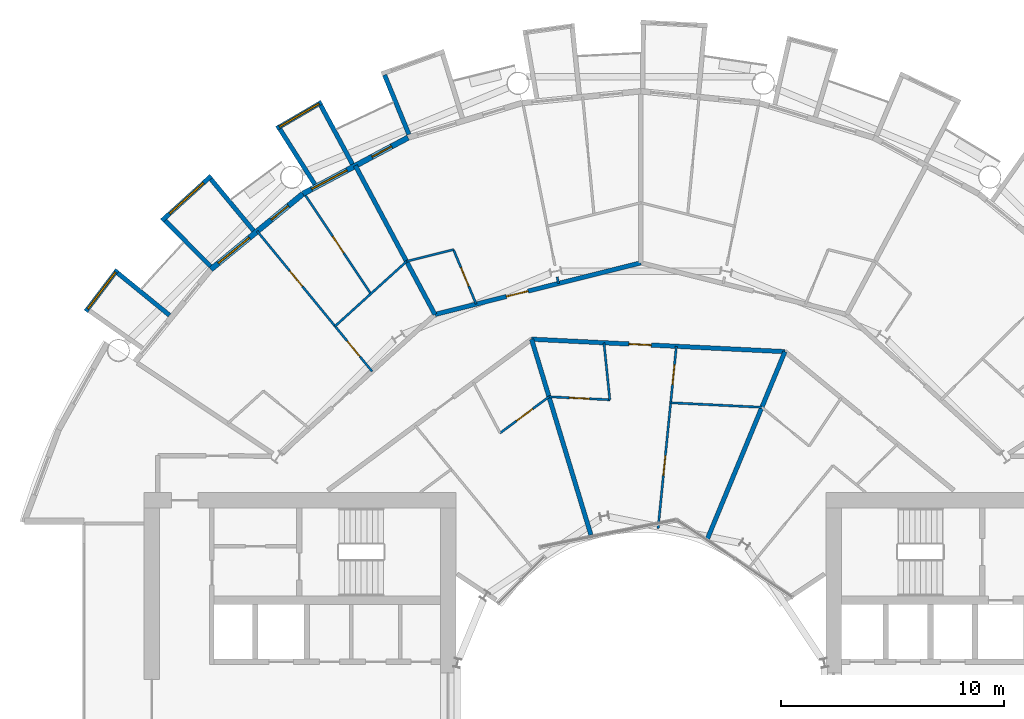
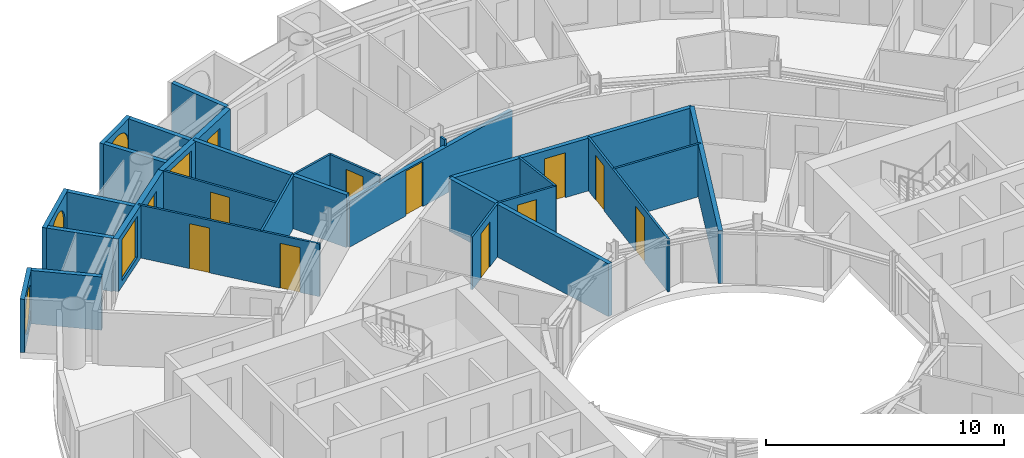
# One storey, part 19 of 26: 27 walls, 12 doors, 5 windows, 17 openings.
"""IFC4 building model written with IfcOpenShell, lengths in metres."""

import ifcopenshell
import ifcopenshell.guid

model = None  # the IFC model being written
_history = None  # IfcOwnerHistory: only IFC2X3 demands one
_inside = {}  # id of a spatial element -> (the spatial element, [elements in it])
_under = {}  # id of a project, library or spatial element -> (it, [spatial elements below it])
_declared = {}  # id of a project -> (the project, [libraries it declares])
_typed = {}  # id of a type object -> (the type object, [elements of that type])
_made_of = {}  # id of a material, layer set ... -> (it, [elements and type objects made of it])


def new_model(schema):
    """Start an empty IFC model of exactly this schema.

    Asked for "IFC4X3", IfcOpenShell would pick the latest addendum, in which some entities
    have other attributes; the version numbers below select the first issue.
    IFC2X3 requires an IfcOwnerHistory on every rooted entity: one is made here for all.
    """
    global model, _history
    if schema == "IFC4X3":
        model = ifcopenshell.file(schema_version=(4, 3, 0, 0))
    else:
        model = ifcopenshell.file(schema=schema)
    _inside.clear()
    _under.clear()
    _declared.clear()
    _typed.clear()
    _made_of.clear()
    _history = None
    if model.schema == "IFC2X3":
        org = make("IfcOrganization", Name="unknown")
        user = make(
            "IfcPersonAndOrganization",
            ThePerson=make("IfcPerson", FamilyName="unknown"),
            TheOrganization=org,
        )
        app = make(
            "IfcApplication",
            ApplicationDeveloper=org,
            Version="unknown",
            ApplicationFullName="unknown",
            ApplicationIdentifier="unknown",
        )
        _history = make(
            "IfcOwnerHistory",
            OwningUser=user,
            OwningApplication=app,
            ChangeAction="ADDED",
            CreationDate=0,
        )
    return model


def make(cls, **values):
    """One entity of the class cls with the attributes given. An attribute that is None is left unset."""
    return model.create_entity(
        cls, **{name: value for name, value in values.items() if value is not None}
    )


def rooted(cls, **values):
    """An entity with a GlobalId (a new one), such as an element, a storey or a relation."""
    return make(cls, GlobalId=ifcopenshell.guid.new(), OwnerHistory=_history, **values)


def si_unit(unit_type, name, prefix=None):
    """IfcSIUnit, for example si_unit("LENGTHUNIT", "METRE", prefix="MILLI")."""
    return make("IfcSIUnit", UnitType=unit_type, Prefix=prefix, Name=name)


def assignment(units):
    """IfcUnitAssignment: the units of a project."""
    return None if units is None else make("IfcUnitAssignment", Units=units)


def point(xyz):
    """IfcCartesianPoint."""
    return None if xyz is None else make("IfcCartesianPoint", Coordinates=xyz)


def direction(xyz):
    """IfcDirection."""
    return None if xyz is None else make("IfcDirection", DirectionRatios=xyz)


def frame(location, z_axis=None, x_axis=None):
    """IfcAxis2Placement3D, a coordinate frame: its origin and axes. An axis left out is left unset."""
    return make(
        "IfcAxis2Placement3D",
        Location=point(location),
        Axis=direction(z_axis),
        RefDirection=direction(x_axis),
    )


def frame_2d(location, x_axis=None):
    """IfcAxis2Placement2D, a coordinate frame in the plane: its origin and x axis."""
    return make(
        "IfcAxis2Placement2D", Location=point(location), RefDirection=direction(x_axis)
    )


def origin():
    """The frame at (0, 0, 0) with its axes left unset."""
    return frame((0.0, 0.0, 0.0))


def place(relative_to, where):
    """IfcLocalPlacement: puts the frame where relative to a parent placement (None: the world)."""
    return make(
        "IfcLocalPlacement", PlacementRelTo=relative_to, RelativePlacement=where
    )


def context(
    kind, dimensions, precision=None, world=None, true_north=None, identifier=None
):
    """IfcGeometricRepresentationContext, for example the 3D "Model" context."""
    return make(
        "IfcGeometricRepresentationContext",
        ContextIdentifier=identifier,
        ContextType=kind,
        CoordinateSpaceDimension=dimensions,
        Precision=precision,
        WorldCoordinateSystem=world,
        TrueNorth=true_north,
    )


def subcontext(parent, identifier, kind, view, scale=None):
    """IfcGeometricRepresentationSubContext, for example "Body" below "Model"."""
    return make(
        "IfcGeometricRepresentationSubContext",
        ContextIdentifier=identifier,
        ContextType=kind,
        ParentContext=parent,
        TargetScale=scale,
        TargetView=view,
    )


def project(units=None, contexts=None):
    """IfcProject with its units and contexts."""
    return rooted(
        "IfcProject",
        Name="project",
        RepresentationContexts=contexts,
        UnitsInContext=assignment(units),
    )


def spatial(cls, under=None, at=None, **own):
    """A site, building, storey or space (cls), placed at a placement, below another one or the project."""
    s = rooted(cls, ObjectPlacement=at, **own)
    if under is not None:
        _under.setdefault(under.id(), (under, []))[1].append(s)
    return s


def profile(cls, at=None, kind="AREA", **sizes):
    """A parametric profile (cls). Its sizes go by their IFC names, for example OverallWidth=200.0."""
    return make(cls, ProfileType=kind, Position=at, **sizes)


def rectangle(**sizes):
    """IfcRectangleProfileDef."""
    return profile("IfcRectangleProfileDef", **sizes)


def circle(**sizes):
    """IfcCircleProfileDef."""
    return profile("IfcCircleProfileDef", **sizes)


def extrude(swept, where, along, depth):
    """IfcExtrudedAreaSolid: the profile swept, set in the frame where, extruded along a direction by depth."""
    return make(
        "IfcExtrudedAreaSolid",
        SweptArea=swept,
        Position=where,
        ExtrudedDirection=direction(along),
        Depth=depth,
    )


def shape(context_of_items, identifier, shape_type, items):
    """IfcShapeRepresentation: the items that make up one representation, for example the "Body"."""
    return make(
        "IfcShapeRepresentation",
        ContextOfItems=context_of_items,
        RepresentationIdentifier=identifier,
        RepresentationType=shape_type,
        Items=items,
    )


def material(Name=None, Category=None):
    """IfcMaterial."""
    return make("IfcMaterial", Name=Name, Category=Category)


def layer(
    of_material, thickness, ventilated=None, Name=None, Category=None, Priority=None
):
    """IfcMaterialLayer: one layer of a wall or slab, of a material (None: an air gap)."""
    return make(
        "IfcMaterialLayer",
        Material=of_material,
        LayerThickness=thickness,
        IsVentilated=ventilated,
        Name=Name,
        Category=Category,
        Priority=Priority,
    )


def layer_set(layers, Name=None):
    """IfcMaterialLayerSet."""
    return make("IfcMaterialLayerSet", MaterialLayers=layers, LayerSetName=Name)


def made_of(thing, what):
    """Note that an element or type object is made of a material, layer set ...; save() writes the relation."""
    if what is not None:
        _made_of.setdefault(what.id(), (what, []))[1].append(thing)
    return thing


def type_object(cls, material=None, **own):
    """A type object (cls), such as IfcWallType, which elements share."""
    return made_of(rooted(cls, **own), material)


def element(
    cls,
    number,
    at=None,
    inside=None,
    cuts=None,
    type_object=None,
    material=None,
    context=None,
    identifier="Body",
    shape_type=None,
    held_by="IfcProductDefinitionShape",
    body=None,
    shapes=None,
    **own,
):
    """One element of the class cls, such as IfcWall. Its Tag is "e" and its number.

    at: its placement. inside: the storey or other place that contains it. cuts: it is an
    opening in that element (IfcRelVoidsElement). A single representation is given by context,
    identifier, shape_type and body (its items); several are given by shapes. held_by: the class
    of the entity that holds the representations. save() writes the other relations.
    """
    e = rooted(cls, Tag="e%d" % number, ObjectPlacement=at, **own)
    if body is not None:
        shapes = [shape(context, identifier, shape_type, body)]
    if shapes is not None:
        e.Representation = make(held_by, Representations=shapes)
    if inside is not None:
        _inside.setdefault(inside.id(), (inside, []))[1].append(e)
    if cuts is not None:
        rooted(
            "IfcRelVoidsElement", RelatingBuildingElement=cuts, RelatedOpeningElement=e
        )
    if type_object is not None:
        _typed.setdefault(type_object.id(), (type_object, []))[1].append(e)
    return made_of(e, material)


def fill(opening, filler):
    """IfcRelFillsElement: the door or window that sits in an opening."""
    return rooted(
        "IfcRelFillsElement",
        RelatingOpeningElement=opening,
        RelatedBuildingElement=filler,
    )


def aggregate(whole, parts):
    """IfcRelAggregates: a whole, such as a stair, and the parts it consists of."""
    return rooted("IfcRelAggregates", RelatingObject=whole, RelatedObjects=parts)


def save(model, path):
    """Write the relations noted so far, then the file.

    IfcRelAggregates (storeys below a building ...), IfcRelContainedInSpatialStructure (elements
    in a storey), IfcRelDefinesByType, IfcRelAssociatesMaterial and IfcRelDeclares: one each for
    every whole, place, type object, material and project.
    """
    for whole, parts in _under.values():
        aggregate(whole, parts)
    for where, things in _inside.values():
        rooted(
            "IfcRelContainedInSpatialStructure",
            RelatedElements=things,
            RelatingStructure=where,
        )
    for kind, things in _typed.values():
        rooted("IfcRelDefinesByType", RelatedObjects=things, RelatingType=kind)
    for what, things in _made_of.values():
        rooted("IfcRelAssociatesMaterial", RelatedObjects=things, RelatingMaterial=what)
    for by, libraries in _declared.values():
        rooted("IfcRelDeclares", RelatingContext=by, RelatedDefinitions=libraries)
    model.write(path)


model = new_model("IFC4")

# Units and contexts
model_context = context("Model", 3, precision=1e-05, world=origin(), true_north=direction((0.0, 1.0)))
body_context = subcontext(model_context, "Body", "Model", "MODEL_VIEW")
ifc_project = project(units=[si_unit("LENGTHUNIT", "METRE"), si_unit("AREAUNIT", "SQUARE_METRE"), si_unit("VOLUMEUNIT", "CUBIC_METRE"), si_unit("PLANEANGLEUNIT", "RADIAN"), si_unit("MASSUNIT", "GRAM", prefix="KILO")], contexts=[model_context])

# Site, building, storey
site_placement = place(None, origin())
site = spatial("IfcSite", under=ifc_project, at=site_placement, CompositionType="ELEMENT")
building_placement = place(site_placement, origin())
building = spatial("IfcBuilding", under=site, at=building_placement, Name="Maasbend Ring Residences", CompositionType="ELEMENT")
storey_placement = place(building_placement, frame((0.0, 0.0, 84.949951171875)))
storey = spatial("IfcBuildingStorey", under=building, at=storey_placement, Name="L24", CompositionType="ELEMENT", Elevation=84.949951171875)

# Wall, opening, door
ifc_material_1 = material(Name="Concrete C30/37", Category="concrete")
ifc_layer_1 = layer(ifc_material_1, 0.199951171875)
ifc_layer_set_1 = layer_set([ifc_layer_1], Name="Concrete C30/37")
wall_type_1 = type_object("IfcWallType", Name="CORRIDOR WALL 200 CONCRETE", PredefinedType="PARTITIONING", material=ifc_layer_set_1)
wall_1_placement = place(storey_placement, frame((-4.903076171875, 16.172119140625, 0.0), z_axis=(0.0, 0.0, 1.0), x_axis=(0.998797695979, -0.049022061427, 0.0)))
wall_1 = element("IfcWall", 1, at=wall_1_placement, inside=storey, type_object=wall_type_1, Name="U-L24-w093", PredefinedType="PARTITIONING", context=body_context, shape_type="SweptSolid", body=[
    extrude(rectangle(XDim=11.384765625, YDim=0.199951171875, at=frame_2d((5.6923828125, 0.0))), origin(), (0.0, 0.0, 1.0), 2.699951171875),
])
opening_1_placement = place(wall_1_placement, frame((4.3759765625, 0.0, 0.0)))
opening_1 = element("IfcOpeningElement", 2, at=opening_1_placement, cuts=wall_1, Name="Opening D-2425", PredefinedType="OPENING", context=body_context, shape_type="SweptSolid", body=[
    extrude(rectangle(XDim=1.0, YDim=2.300048828125, at=frame_2d((0.5, 1.14990234375))), frame((0.0, 0.10986328125, 0.0), z_axis=(0.0, -1.0, 0.0), x_axis=(1.0, 0.0, 0.0)), (0.0, 0.0, 1.0), 0.219970703125),
])
ifc_material_2 = material(Name="Timber, fire-rated, painted", Category="wood")
door_type_1 = type_object("IfcDoorType", Name="FLAT ENTRANCE DOOR 1000 X 2300 FIRE-RATED", OperationType="NOTDEFINED", PredefinedType="DOOR", material=ifc_material_2)
door_1_placement = place(opening_1_placement, origin())
door_1 = element("IfcDoor", 3, at=door_1_placement, inside=storey, type_object=door_type_1, Name="D-2425", OperationType="SINGLE_SWING_LEFT", OverallHeight=2.300048828125, OverallWidth=1.0, PredefinedType="DOOR", context=body_context, shape_type="SweptSolid", body=[
    extrude(rectangle(XDim=1.0, YDim=2.300048828125, at=frame_2d((0.5, 1.14990234375))), frame((0.0, 0.02490234375, 0.0), z_axis=(0.0, -1.0, 0.0), x_axis=(1.0, 0.0, 0.0)), (0.0, 0.0, 1.0), 0.050048828125),
])
fill(opening_1, door_1)

wall_2_placement = place(storey_placement, frame((-9.239013671875, 17.284912109375, 0.0), z_axis=(0.0, 0.0, 1.0), x_axis=(0.970008158324, 0.243072361213, 0.0)))
wall_2 = element("IfcWall", 4, at=wall_2_placement, inside=storey, type_object=wall_type_1, Name="U-L24-w096", PredefinedType="PARTITIONING", context=body_context, shape_type="SweptSolid", body=[
    extrude(rectangle(XDim=9.524658203125, YDim=0.199951171875, at=frame_2d((4.76220703125, 0.0))), origin(), (0.0, 0.0, 1.0), 2.380126953125),
])
opening_2_placement = place(wall_2_placement, frame((3.304931640625, 0.0, 0.0)))
opening_2 = element("IfcOpeningElement", 5, at=opening_2_placement, cuts=wall_2, Name="Opening D-2411", PredefinedType="OPENING", context=body_context, shape_type="SweptSolid", body=[
    extrude(rectangle(XDim=1.0, YDim=2.300048828125, at=frame_2d((0.5, 1.14990234375))), frame((0.0, 0.10986328125, 0.0), z_axis=(0.0, -1.0, 0.0), x_axis=(1.0, 0.0, 0.0)), (0.0, 0.0, 1.0), 0.219970703125),
])
door_2_placement = place(opening_2_placement, origin())
door_2 = element("IfcDoor", 6, at=door_2_placement, inside=storey, type_object=door_type_1, Name="D-2411", OperationType="SINGLE_SWING_LEFT", OverallHeight=2.300048828125, OverallWidth=1.0, PredefinedType="DOOR", context=body_context, shape_type="SweptSolid", body=[
    extrude(rectangle(XDim=1.0, YDim=2.300048828125, at=frame_2d((0.5, 1.14990234375))), frame((0.0, 0.02490234375, 0.0), z_axis=(0.0, -1.0, 0.0), x_axis=(1.0, 0.0, 0.0)), (0.0, 0.0, 1.0), 0.050048828125),
])
fill(opening_2, door_2)

# Wall
ifc_material_3 = material(Name="Pale anodised aluminium panel", Category="aluminium")
ifc_layer_2 = layer(ifc_material_3, 0.199951171875)
ifc_layer_set_2 = layer_set([ifc_layer_2], Name="EW-BOX")
wall_type_2 = type_object("IfcWallType", Name="EW-BOX", PredefinedType="SOLIDWALL", material=ifc_layer_set_2)
wall_3_placement = place(storey_placement, frame((-10.408935546875, 25.364013671875, -0.030029296875), z_axis=(0.0, 0.0, 1.0), x_axis=(-0.379509886562, 0.925187681501, 0.0)))
element("IfcWall", 7, at=wall_3_placement, inside=storey, type_object=wall_type_2, Name="Box side wall N14 right", PredefinedType="SOLIDWALL", context=body_context, shape_type="SweptSolid", body=[
    extrude(rectangle(XDim=2.882568359375, YDim=0.199951171875, at=frame_2d((1.44140625, 0.0))), origin(), (0.0, 0.0, 1.0), 2.72998046875),
])

# Wall, opening, window
wall_4_placement = place(storey_placement, frame((-14.326904296875, 26.81201171875, -0.030029296875), z_axis=(0.0, 0.0, 1.0), x_axis=(-0.863346521872, -0.504611517081, 0.0)))
wall_4 = element("IfcWall", 8, at=wall_4_placement, inside=storey, type_object=wall_type_2, Name="Box front N16", PredefinedType="SOLIDWALL", context=body_context, shape_type="SweptSolid", body=[
    extrude(rectangle(XDim=2.33642578125, YDim=0.199951171875, at=frame_2d((1.168212890625, 0.0))), origin(), (0.0, 0.0, 1.0), 2.72998046875),
])
opening_3_placement = place(wall_4_placement, frame((0.128173828125, 0.0, 0.330078125)))
opening_3 = element("IfcOpeningElement", 9, at=opening_3_placement, cuts=wall_4, Name="Opening W-RD", PredefinedType="OPENING", context=body_context, shape_type="SweptSolid", body=[
    extrude(circle(Radius=1.0400390625, at=frame_2d((1.0400390625, 1.0400390625))), frame((0.0, 0.10986328125, 0.0), z_axis=(0.0, -1.0, 0.0), x_axis=(1.0, 0.0, 0.0)), (0.0, 0.0, 1.0), 0.219970703125),
])
ifc_material_4 = material(Name="Aluminium and clear glass", Category="aluminium")
window_type_1 = type_object("IfcWindowType", Name="W-RD", PartitioningType="SINGLE_PANEL", PredefinedType="WINDOW", material=ifc_material_4)
window_1_placement = place(opening_3_placement, origin())
window_1 = element("IfcWindow", 10, at=window_1_placement, inside=storey, type_object=window_type_1, Name="Round window N16", OverallHeight=2.080078125, OverallWidth=2.080078125, PartitioningType="SINGLE_PANEL", PredefinedType="WINDOW", context=body_context, shape_type="SweptSolid", body=[
    extrude(circle(Radius=1.0400390625, at=frame_2d((1.0400390625, 1.0400390625))), frame((0.0, 0.030029296875, 0.0), z_axis=(0.0, -1.0, 0.0), x_axis=(1.0, 0.0, 0.0)), (0.0, 0.0, 1.0), 0.06005859375),
])
fill(opening_3, window_1)

# Walls
wall_5_placement = place(storey_placement, frame((-12.945068359375, 24.029052734375, -0.030029296875), z_axis=(0.0, 0.0, 1.0), x_axis=(-0.474424310775, 0.88029629861, 0.0)))
element("IfcWall", 11, at=wall_5_placement, inside=storey, type_object=wall_type_2, Name="Box side wall N16 left", PredefinedType="SOLIDWALL", context=body_context, shape_type="SweptSolid", body=[
    extrude(rectangle(XDim=3.005859375, YDim=0.199951171875, at=frame_2d((1.5029296875, 0.0))), origin(), (0.0, 0.0, 1.0), 2.72998046875),
])
wall_6_placement = place(storey_placement, frame((-14.635009765625, 23.1259765625, -0.030029296875), z_axis=(0.0, 0.0, 1.0), x_axis=(-0.534437802731, 0.845207805816, 0.0)))
element("IfcWall", 12, at=wall_6_placement, inside=storey, type_object=wall_type_2, Name="Box side wall N16 right", PredefinedType="SOLIDWALL", context=body_context, shape_type="SweptSolid", body=[
    extrude(rectangle(XDim=2.931884765625, YDim=0.199951171875, at=frame_2d((1.4658203125, 0.0))), origin(), (0.0, 0.0, 1.0), 2.72998046875),
])

# Wall, opening, window
wall_7_placement = place(storey_placement, frame((-19.281982421875, 23.5029296875, -0.030029296875), z_axis=(0.0, 0.0, 1.0), x_axis=(-0.740998365753, -0.671506829416, 0.0)))
wall_7 = element("IfcWall", 13, at=wall_7_placement, inside=storey, type_object=wall_type_2, Name="Box front N18", PredefinedType="SOLIDWALL", context=body_context, shape_type="SweptSolid", body=[
    extrude(rectangle(XDim=2.9931640625, YDim=0.199951171875, at=frame_2d((1.49658203125, 0.0))), origin(), (0.0, 0.0, 1.0), 2.72998046875),
])
opening_4_placement = place(wall_7_placement, frame((0.45654296875, 0.0, 0.330078125)))
opening_4 = element("IfcOpeningElement", 14, at=opening_4_placement, cuts=wall_7, Name="Opening W-RD", PredefinedType="OPENING", context=body_context, shape_type="SweptSolid", body=[
    extrude(circle(Radius=1.0400390625, at=frame_2d((1.0400390625, 1.0400390625))), frame((0.0, 0.10986328125, 0.0), z_axis=(0.0, -1.0, 0.0), x_axis=(1.0, 0.0, 0.0)), (0.0, 0.0, 1.0), 0.219970703125),
])
window_2_placement = place(opening_4_placement, origin())
window_2 = element("IfcWindow", 15, at=window_2_placement, inside=storey, type_object=window_type_1, Name="Round window N18", OverallHeight=2.080078125, OverallWidth=2.080078125, PartitioningType="SINGLE_PANEL", PredefinedType="WINDOW", context=body_context, shape_type="SweptSolid", body=[
    extrude(circle(Radius=1.0400390625, at=frame_2d((1.0400390625, 1.0400390625))), frame((0.0, 0.030029296875, 0.0), z_axis=(0.0, -1.0, 0.0), x_axis=(1.0, 0.0, 0.0)), (0.0, 0.0, 1.0), 0.06005859375),
])
fill(opening_4, window_2)

# Walls
wall_8_placement = place(storey_placement, frame((-17.384033203125, 21.041015625, -0.030029296875), z_axis=(0.0, 0.0, 1.0), x_axis=(-0.63709551667, 0.770784861449, 0.0)))
element("IfcWall", 16, at=wall_8_placement, inside=storey, type_object=wall_type_2, Name="Box side wall N18 left", PredefinedType="SOLIDWALL", context=body_context, shape_type="SweptSolid", body=[
    extrude(rectangle(XDim=3.005859375, YDim=0.199951171875, at=frame_2d((1.5029296875, 0.0))), origin(), (0.0, 0.0, 1.0), 2.72998046875),
])
wall_9_placement = place(storey_placement, frame((-19.322998046875, 19.449951171875, -0.030029296875), z_axis=(0.0, 0.0, 1.0), x_axis=(-0.704476739375, 0.709727076896, 0.0)))
element("IfcWall", 17, at=wall_9_placement, inside=storey, type_object=wall_type_2, Name="Box side wall N18 right", PredefinedType="SOLIDWALL", context=body_context, shape_type="SweptSolid", body=[
    extrude(rectangle(XDim=2.883056640625, YDim=0.199951171875, at=frame_2d((1.44140625, 0.0))), origin(), (0.0, 0.0, 1.0), 2.72998046875),
])

# Wall, opening, window
wall_10_placement = place(storey_placement, frame((-23.4970703125, 19.2890625, -0.030029296875), z_axis=(0.0, 0.0, 1.0), x_axis=(-0.60418752353, -0.796842165306, 0.0)))
wall_10 = element("IfcWall", 18, at=wall_10_placement, inside=storey, type_object=wall_type_2, Name="Box front N20", PredefinedType="SOLIDWALL", context=body_context, shape_type="SweptSolid", body=[
    extrude(rectangle(XDim=2.3369140625, YDim=0.199951171875, at=frame_2d((1.16845703125, 0.0))), origin(), (0.0, 0.0, 1.0), 2.72998046875),
])
opening_5_placement = place(wall_10_placement, frame((0.128173828125, 0.0, 0.330078125)))
opening_5 = element("IfcOpeningElement", 19, at=opening_5_placement, cuts=wall_10, Name="Opening W-RD", PredefinedType="OPENING", context=body_context, shape_type="SweptSolid", body=[
    extrude(circle(Radius=1.0400390625, at=frame_2d((1.0400390625, 1.0400390625))), frame((0.0, 0.10986328125, 0.0), z_axis=(0.0, -1.0, 0.0), x_axis=(1.0, 0.0, 0.0)), (0.0, 0.0, 1.0), 0.219970703125),
])
window_3_placement = place(opening_5_placement, origin())
window_3 = element("IfcWindow", 20, at=window_3_placement, inside=storey, type_object=window_type_1, Name="Round window N20", OverallHeight=2.080078125, OverallWidth=2.080078125, PartitioningType="SINGLE_PANEL", PredefinedType="WINDOW", context=body_context, shape_type="SweptSolid", body=[
    extrude(circle(Radius=1.0400390625, at=frame_2d((1.0400390625, 1.0400390625))), frame((0.0, 0.030029296875, 0.0), z_axis=(0.0, -1.0, 0.0), x_axis=(1.0, 0.0, 0.0)), (0.0, 0.0, 1.0), 0.06005859375),
])
fill(opening_5, window_3)

# Wall
wall_11_placement = place(storey_placement, frame((-21.155029296875, 17.24609375, -0.030029296875), z_axis=(0.0, 0.0, 1.0), x_axis=(-0.775179004516, 0.631741648902, 0.0)))
element("IfcWall", 21, at=wall_11_placement, inside=storey, type_object=wall_type_2, Name="Box side wall N20 left", PredefinedType="SOLIDWALL", context=body_context, shape_type="SweptSolid", body=[
    extrude(rectangle(XDim=3.005859375, YDim=0.199951171875, at=frame_2d((1.5029296875, 0.0))), origin(), (0.0, 0.0, 1.0), 2.72998046875),
])

# Wall, openings, door, window
ifc_material_5 = material(Name="Aluminium clad insulated panel", Category="aluminium")
ifc_layer_3 = layer(ifc_material_5, 0.25)
ifc_layer_set_3 = layer_set([ifc_layer_3], Name="EW-GL")
wall_type_3 = type_object("IfcWallType", Name="EW-GL", PredefinedType="SOLIDWALL", material=ifc_layer_set_3)
wall_12_placement = place(storey_placement, frame((-10.447021484375, 25.221923828125, 0.0), z_axis=(0.0, 0.0, 1.0), x_axis=(-0.881915646801, -0.471407246368, 0.0)))
wall_12 = element("IfcWall", 22, at=wall_12_placement, inside=storey, type_object=wall_type_3, Name="External wall N08", PredefinedType="SOLIDWALL", context=body_context, shape_type="SweptSolid", body=[
    extrude(rectangle(XDim=5.35205078125, YDim=0.25, at=frame_2d((2.676025390625, 0.0))), origin(), (0.0, 0.0, 1.0), 2.699951171875),
])
opening_6_placement = place(wall_12_placement, frame((0.841064453125, 0.0, 0.0)))
opening_6 = element("IfcOpeningElement", 23, at=opening_6_placement, cuts=wall_12, Name="Opening D-LG", PredefinedType="OPENING", context=body_context, shape_type="SweptSolid", body=[
    extrude(rectangle(XDim=1.0, YDim=2.199951171875, at=frame_2d((0.5, 1.10009765625))), frame((0.0, 0.135009765625, 0.0), z_axis=(0.0, -1.0, 0.0), x_axis=(1.0, 0.0, 0.0)), (0.0, 0.0, 1.0), 0.27001953125),
])
opening_7_placement = place(wall_12_placement, frame((3.110595703125, 0.0, 0.300048828125)))
opening_7 = element("IfcOpeningElement", 24, at=opening_7_placement, cuts=wall_12, Name="Opening W-BX", PredefinedType="OPENING", context=body_context, shape_type="SweptSolid", body=[
    extrude(rectangle(XDim=1.800048828125, YDim=2.10009765625, at=frame_2d((0.89990234375, 1.050048828125))), frame((0.0, 0.135009765625, 0.0), z_axis=(0.0, -1.0, 0.0), x_axis=(1.0, 0.0, 0.0)), (0.0, 0.0, 1.0), 0.27001953125),
])
ifc_material_6 = material(Name="Aluminium and clear glass", Category="aluminium")
door_type_2 = type_object("IfcDoorType", Name="D-LG", OperationType="SINGLE_SWING_LEFT", PredefinedType="DOOR", material=ifc_material_6)
door_3_placement = place(opening_6_placement, origin())
door_3 = element("IfcDoor", 25, at=door_3_placement, inside=storey, type_object=door_type_2, Name="Loggia door N15", OperationType="SINGLE_SWING_LEFT", OverallHeight=2.199951171875, OverallWidth=1.0, PredefinedType="DOOR", context=body_context, shape_type="SweptSolid", body=[
    extrude(rectangle(XDim=1.0, YDim=2.199951171875, at=frame_2d((0.5, 1.10009765625))), frame((0.0, 0.02490234375, 0.0), z_axis=(0.0, -1.0, 0.0), x_axis=(1.0, 0.0, 0.0)), (0.0, 0.0, 1.0), 0.050048828125),
])
fill(opening_6, door_3)
ifc_material_7 = material(Name="Aluminium and clear glass", Category="aluminium")
window_type_2 = type_object("IfcWindowType", Name="W-BX", PartitioningType="DOUBLE_PANEL_VERTICAL", PredefinedType="WINDOW", material=ifc_material_7)
window_4_placement = place(opening_7_placement, origin())
window_4 = element("IfcWindow", 26, at=window_4_placement, inside=storey, type_object=window_type_2, Name="Window N16 room to box", OverallHeight=2.10009765625, OverallWidth=1.800048828125, PartitioningType="SINGLE_PANEL", PredefinedType="WINDOW", context=body_context, shape_type="SweptSolid", body=[
    extrude(rectangle(XDim=1.800048828125, YDim=2.10009765625, at=frame_2d((0.89990234375, 1.050048828125))), frame((0.0, 0.030029296875, 0.0), z_axis=(0.0, -1.0, 0.0), x_axis=(1.0, 0.0, 0.0)), (0.0, 0.0, 1.0), 0.06005859375),
])
fill(opening_7, window_4)

wall_13_placement = place(storey_placement, frame((-15.1669921875, 22.698974609375, 0.0), z_axis=(0.0, 0.0, 1.0), x_axis=(-0.773019449054, -0.634382322723, 0.0)))
wall_13 = element("IfcWall", 27, at=wall_13_placement, inside=storey, type_object=wall_type_3, Name="External wall N09", PredefinedType="SOLIDWALL", context=body_context, shape_type="SweptSolid", body=[
    extrude(rectangle(XDim=5.351806640625, YDim=0.25, at=frame_2d((2.67578125, 0.0))), origin(), (0.0, 0.0, 1.0), 2.699951171875),
])
opening_8_placement = place(wall_13_placement, frame((0.841064453125, 0.0, 0.0)))
opening_8 = element("IfcOpeningElement", 28, at=opening_8_placement, cuts=wall_13, Name="Opening D-LG", PredefinedType="OPENING", context=body_context, shape_type="SweptSolid", body=[
    extrude(rectangle(XDim=1.0, YDim=2.199951171875, at=frame_2d((0.5, 1.10009765625))), frame((0.0, 0.135009765625, 0.0), z_axis=(0.0, -1.0, 0.0), x_axis=(1.0, 0.0, 0.0)), (0.0, 0.0, 1.0), 0.27001953125),
])
opening_9_placement = place(wall_13_placement, frame((3.110595703125, 0.0, 0.300048828125)))
opening_9 = element("IfcOpeningElement", 29, at=opening_9_placement, cuts=wall_13, Name="Opening W-BX", PredefinedType="OPENING", context=body_context, shape_type="SweptSolid", body=[
    extrude(rectangle(XDim=1.800048828125, YDim=2.10009765625, at=frame_2d((0.89990234375, 1.050048828125))), frame((0.0, 0.135009765625, 0.0), z_axis=(0.0, -1.0, 0.0), x_axis=(1.0, 0.0, 0.0)), (0.0, 0.0, 1.0), 0.27001953125),
])
door_4_placement = place(opening_8_placement, origin())
door_4 = element("IfcDoor", 30, at=door_4_placement, inside=storey, type_object=door_type_2, Name="Loggia door N17", OperationType="SINGLE_SWING_LEFT", OverallHeight=2.199951171875, OverallWidth=1.0, PredefinedType="DOOR", context=body_context, shape_type="SweptSolid", body=[
    extrude(rectangle(XDim=1.0, YDim=2.199951171875, at=frame_2d((0.5, 1.10009765625))), frame((0.0, 0.02490234375, 0.0), z_axis=(0.0, -1.0, 0.0), x_axis=(1.0, 0.0, 0.0)), (0.0, 0.0, 1.0), 0.050048828125),
])
fill(opening_8, door_4)
window_5_placement = place(opening_9_placement, origin())
window_5 = element("IfcWindow", 31, at=window_5_placement, inside=storey, type_object=window_type_2, Name="Window N18 room to box", OverallHeight=2.10009765625, OverallWidth=1.800048828125, PartitioningType="SINGLE_PANEL", PredefinedType="WINDOW", context=body_context, shape_type="SweptSolid", body=[
    extrude(rectangle(XDim=1.800048828125, YDim=2.10009765625, at=frame_2d((0.89990234375, 1.050048828125))), frame((0.0, 0.030029296875, 0.0), z_axis=(0.0, -1.0, 0.0), x_axis=(1.0, 0.0, 0.0)), (0.0, 0.0, 1.0), 0.06005859375),
])
fill(opening_9, window_5)

# Wall, openings, doors
ifc_material_8 = material(Name="Gypsum board on steel studs", Category="steel")
ifc_layer_4 = layer(ifc_material_8, 0.10009765625)
ifc_layer_set_4 = layer_set([ifc_layer_4], Name="PARTITION 100 GYPSUM")
wall_type_4 = type_object("IfcWallType", Name="PARTITION 100 GYPSUM", PredefinedType="PARTITIONING", material=ifc_layer_set_4)
wall_14_placement = place(storey_placement, frame((-17.220947265625, 21.02197265625, 0.0), z_axis=(0.0, 0.0, 1.0), x_axis=(0.633735868108, -0.773549513266, 0.0)))
wall_14 = element("IfcWall", 32, at=wall_14_placement, inside=storey, type_object=wall_type_4, Name="U-L24-w030", PredefinedType="PARTITIONING", context=body_context, shape_type="SweptSolid", body=[
    extrude(rectangle(XDim=8.138916015625, YDim=0.10009765625, at=frame_2d((4.0693359375, 0.0))), origin(), (0.0, 0.0, 1.0), 2.699951171875),
])
opening_10_placement = place(wall_14_placement, frame((6.3779296875, 0.0, 0.0)))
opening_10 = element("IfcOpeningElement", 33, at=opening_10_placement, cuts=wall_14, Name="Opening D-2418", PredefinedType="OPENING", context=body_context, shape_type="SweptSolid", body=[
    extrude(rectangle(XDim=0.89990234375, YDim=2.300048828125, at=frame_2d((0.449951171875, 1.14990234375))), frame((0.0, 0.06005859375, 0.0), z_axis=(0.0, -1.0, 0.0), x_axis=(1.0, 0.0, 0.0)), (0.0, 0.0, 1.0), 0.1201171875),
])
opening_11_placement = place(wall_14_placement, frame((2.30810546875, 0.0, 0.0)))
opening_11 = element("IfcOpeningElement", 34, at=opening_11_placement, cuts=wall_14, Name="Opening D-2419", PredefinedType="OPENING", context=body_context, shape_type="SweptSolid", body=[
    extrude(rectangle(XDim=0.89990234375, YDim=2.300048828125, at=frame_2d((0.449951171875, 1.14990234375))), frame((0.0, 0.06005859375, 0.0), z_axis=(0.0, -1.0, 0.0), x_axis=(1.0, 0.0, 0.0)), (0.0, 0.0, 1.0), 0.1201171875),
])
ifc_material_9 = material(Name="Timber, painted", Category="wood")
door_type_3 = type_object("IfcDoorType", Name="INTERNAL DOOR 900 X 2300", OperationType="NOTDEFINED", PredefinedType="DOOR", material=ifc_material_9)
door_5_placement = place(opening_10_placement, origin())
door_5 = element("IfcDoor", 35, at=door_5_placement, inside=storey, type_object=door_type_3, Name="D-2418", OperationType="SINGLE_SWING_RIGHT", OverallHeight=2.300048828125, OverallWidth=0.89990234375, PredefinedType="DOOR", context=body_context, shape_type="SweptSolid", body=[
    extrude(rectangle(XDim=0.89990234375, YDim=2.300048828125, at=frame_2d((0.449951171875, 1.14990234375))), frame((0.0, 0.02490234375, 0.0), z_axis=(0.0, -1.0, 0.0), x_axis=(1.0, 0.0, 0.0)), (0.0, 0.0, 1.0), 0.050048828125),
])
fill(opening_10, door_5)
door_6_placement = place(opening_11_placement, origin())
door_6 = element("IfcDoor", 36, at=door_6_placement, inside=storey, type_object=door_type_3, Name="D-2419", OperationType="SINGLE_SWING_LEFT", OverallHeight=2.300048828125, OverallWidth=0.89990234375, PredefinedType="DOOR", context=body_context, shape_type="SweptSolid", body=[
    extrude(rectangle(XDim=0.89990234375, YDim=2.300048828125, at=frame_2d((0.449951171875, 1.14990234375))), frame((0.0, 0.02490234375, 0.0), z_axis=(0.0, -1.0, 0.0), x_axis=(1.0, 0.0, 0.0)), (0.0, 0.0, 1.0), 0.050048828125),
])
fill(opening_11, door_6)

# Wall, opening, door
wall_15_placement = place(storey_placement, frame((-15.053955078125, 22.6240234375, 0.0), z_axis=(0.0, 0.0, 1.0), x_axis=(0.553913391217, -0.832574294, 0.0)))
wall_15 = element("IfcWall", 37, at=wall_15_placement, inside=storey, type_object=wall_type_4, Name="U-L24-w034", PredefinedType="PARTITIONING", context=body_context, shape_type="SweptSolid", body=[
    extrude(rectangle(XDim=5.300537109375, YDim=0.10009765625, at=frame_2d((2.650390625, 0.0))), origin(), (0.0, 0.0, 1.0), 2.699951171875),
])
opening_12_placement = place(wall_15_placement, frame((2.199951171875, 0.0, 0.0)))
opening_12 = element("IfcOpeningElement", 38, at=opening_12_placement, cuts=wall_15, Name="Opening D-2420", PredefinedType="OPENING", context=body_context, shape_type="SweptSolid", body=[
    extrude(rectangle(XDim=0.89990234375, YDim=2.300048828125, at=frame_2d((0.449951171875, 1.14990234375))), frame((0.0, 0.06005859375, 0.0), z_axis=(0.0, -1.0, 0.0), x_axis=(1.0, 0.0, 0.0)), (0.0, 0.0, 1.0), 0.1201171875),
])
door_7_placement = place(opening_12_placement, origin())
door_7 = element("IfcDoor", 39, at=door_7_placement, inside=storey, type_object=door_type_3, Name="D-2420", OperationType="SINGLE_SWING_LEFT", OverallHeight=2.300048828125, OverallWidth=0.89990234375, PredefinedType="DOOR", context=body_context, shape_type="SweptSolid", body=[
    extrude(rectangle(XDim=0.89990234375, YDim=2.300048828125, at=frame_2d((0.449951171875, 1.14990234375))), frame((0.0, 0.02490234375, 0.0), z_axis=(0.0, -1.0, 0.0), x_axis=(1.0, 0.0, 0.0)), (0.0, 0.0, 1.0), 0.050048828125),
])
fill(opening_12, door_7)

wall_16_placement = place(storey_placement, frame((-8.409912109375, 20.193115234375, 0.0), z_axis=(0.0, 0.0, 1.0), x_axis=(0.384438589316, -0.923150567917, 0.0)))
wall_16 = element("IfcWall", 40, at=wall_16_placement, inside=storey, type_object=wall_type_4, Name="U-L24-w041", PredefinedType="PARTITIONING", context=body_context, shape_type="SweptSolid", body=[
    extrude(rectangle(XDim=2.6474609375, YDim=0.10009765625, at=frame_2d((1.32373046875, 0.0))), origin(), (0.0, 0.0, 1.0), 2.699951171875),
])
opening_13_placement = place(wall_16_placement, frame((0.8740234375, 0.0, 0.0)))
opening_13 = element("IfcOpeningElement", 41, at=opening_13_placement, cuts=wall_16, Name="Opening D-2412", PredefinedType="OPENING", context=body_context, shape_type="SweptSolid", body=[
    extrude(rectangle(XDim=0.89990234375, YDim=2.300048828125, at=frame_2d((0.449951171875, 1.14990234375))), frame((0.0, 0.06005859375, 0.0), z_axis=(0.0, -1.0, 0.0), x_axis=(1.0, 0.0, 0.0)), (0.0, 0.0, 1.0), 0.1201171875),
])
door_8_placement = place(opening_13_placement, origin())
door_8 = element("IfcDoor", 42, at=door_8_placement, inside=storey, type_object=door_type_3, Name="D-2412", OperationType="SINGLE_SWING_RIGHT", OverallHeight=2.300048828125, OverallWidth=0.89990234375, PredefinedType="DOOR", context=body_context, shape_type="SweptSolid", body=[
    extrude(rectangle(XDim=0.89990234375, YDim=2.300048828125, at=frame_2d((0.449951171875, 1.14990234375))), frame((0.0, 0.02490234375, 0.0), z_axis=(0.0, -1.0, 0.0), x_axis=(1.0, 0.0, 0.0)), (0.0, 0.0, 1.0), 0.050048828125),
])
fill(opening_13, door_8)

# Walls
wall_17_placement = place(storey_placement, frame((-3.7548828125, 18.969970703125, 0.0), z_axis=(0.0, 0.0, 1.0), x_axis=(0.19502665362, -0.980797942686, 0.0)))
element("IfcWall", 43, at=wall_17_placement, inside=storey, type_object=wall_type_4, Name="U-L24-w048", PredefinedType="PARTITIONING", context=body_context, shape_type="SweptSolid", body=[
    extrude(rectangle(XDim=0.3017578125, YDim=0.10009765625, at=frame_2d((0.15087890625, 0.0))), origin(), (0.0, 0.0, 1.0), 2.699951171875),
])
wall_18_placement = place(storey_placement, frame((-1.656005859375, 16.012939453125, 0.0), z_axis=(0.0, 0.0, 1.0), x_axis=(0.102594773028, -0.994723234145, 0.0)))
element("IfcWall", 44, at=wall_18_placement, inside=storey, type_object=wall_type_4, Name="U-L24-w051", PredefinedType="PARTITIONING", context=body_context, shape_type="SweptSolid", body=[
    extrude(rectangle(XDim=2.572509765625, YDim=0.10009765625, at=frame_2d((1.2861328125, 0.0))), origin(), (0.0, 0.0, 1.0), 2.699951171875),
])

# Wall, openings, doors
wall_19_placement = place(storey_placement, frame((0.77392578125, 7.680908203125, 0.0), z_axis=(0.0, 0.0, 1.0), x_axis=(0.099730339513, 0.995014502096, 0.0)))
wall_19 = element("IfcWall", 45, at=wall_19_placement, inside=storey, type_object=wall_type_4, Name="U-L24-w055", PredefinedType="PARTITIONING", context=body_context, shape_type="SweptSolid", body=[
    extrude(rectangle(XDim=8.213134765625, YDim=0.10009765625, at=frame_2d((4.1064453125, 0.0))), origin(), (0.0, 0.0, 1.0), 2.699951171875),
])
opening_14_placement = place(wall_19_placement, frame((6.489990234375, 0.0, 0.0)))
opening_14 = element("IfcOpeningElement", 46, at=opening_14_placement, cuts=wall_19, Name="Opening D-2427", PredefinedType="OPENING", context=body_context, shape_type="SweptSolid", body=[
    extrude(rectangle(XDim=0.89990234375, YDim=2.300048828125, at=frame_2d((0.449951171875, 1.14990234375))), frame((0.0, 0.06005859375, 0.0), z_axis=(0.0, -1.0, 0.0), x_axis=(1.0, 0.0, 0.0)), (0.0, 0.0, 1.0), 0.1201171875),
])
opening_15_placement = place(wall_19_placement, frame((2.384033203125, 0.0, 0.0)))
opening_15 = element("IfcOpeningElement", 47, at=opening_15_placement, cuts=wall_19, Name="Opening D-2428", PredefinedType="OPENING", context=body_context, shape_type="SweptSolid", body=[
    extrude(rectangle(XDim=0.89990234375, YDim=2.300048828125, at=frame_2d((0.449951171875, 1.14990234375))), frame((0.0, 0.06005859375, 0.0), z_axis=(0.0, -1.0, 0.0), x_axis=(1.0, 0.0, 0.0)), (0.0, 0.0, 1.0), 0.1201171875),
])
door_9_placement = place(opening_14_placement, origin())
door_9 = element("IfcDoor", 48, at=door_9_placement, inside=storey, type_object=door_type_3, Name="D-2427", OperationType="SINGLE_SWING_RIGHT", OverallHeight=2.300048828125, OverallWidth=0.89990234375, PredefinedType="DOOR", context=body_context, shape_type="SweptSolid", body=[
    extrude(rectangle(XDim=0.89990234375, YDim=2.300048828125, at=frame_2d((0.449951171875, 1.14990234375))), frame((0.0, 0.02490234375, 0.0), z_axis=(0.0, -1.0, 0.0), x_axis=(1.0, 0.0, 0.0)), (0.0, 0.0, 1.0), 0.050048828125),
])
fill(opening_14, door_9)
door_10_placement = place(opening_15_placement, origin())
door_10 = element("IfcDoor", 49, at=door_10_placement, inside=storey, type_object=door_type_3, Name="D-2428", OperationType="SINGLE_SWING_LEFT", OverallHeight=2.300048828125, OverallWidth=0.89990234375, PredefinedType="DOOR", context=body_context, shape_type="SweptSolid", body=[
    extrude(rectangle(XDim=0.89990234375, YDim=2.300048828125, at=frame_2d((0.449951171875, 1.14990234375))), frame((0.0, 0.02490234375, 0.0), z_axis=(0.0, -1.0, 0.0), x_axis=(1.0, 0.0, 0.0)), (0.0, 0.0, 1.0), 0.050048828125),
])
fill(opening_15, door_10)

# Wall, opening, door
wall_20_placement = place(storey_placement, frame((-6.318115234375, 11.9599609375, 0.0), z_axis=(0.0, 0.0, 1.0), x_axis=(0.803128348509, 0.595806055542, 0.0)))
wall_20 = element("IfcWall", 50, at=wall_20_placement, inside=storey, type_object=wall_type_4, Name="U-L24-w087", PredefinedType="PARTITIONING", context=body_context, shape_type="SweptSolid", body=[
    extrude(rectangle(XDim=2.734375, YDim=0.10009765625, at=frame_2d((1.3671875, 0.0))), origin(), (0.0, 0.0, 1.0), 2.699951171875),
])
opening_16_placement = place(wall_20_placement, frame((0.9169921875, 0.0, 0.0)))
opening_16 = element("IfcOpeningElement", 51, at=opening_16_placement, cuts=wall_20, Name="Opening D-2430", PredefinedType="OPENING", context=body_context, shape_type="SweptSolid", body=[
    extrude(rectangle(XDim=0.89990234375, YDim=2.300048828125, at=frame_2d((0.449951171875, 1.14990234375))), frame((0.0, 0.06005859375, 0.0), z_axis=(0.0, -1.0, 0.0), x_axis=(1.0, 0.0, 0.0)), (0.0, 0.0, 1.0), 0.1201171875),
])
door_11_placement = place(opening_16_placement, origin())
door_11 = element("IfcDoor", 52, at=door_11_placement, inside=storey, type_object=door_type_3, Name="D-2430", OperationType="SINGLE_SWING_RIGHT", OverallHeight=2.300048828125, OverallWidth=0.89990234375, PredefinedType="DOOR", context=body_context, shape_type="SweptSolid", body=[
    extrude(rectangle(XDim=0.89990234375, YDim=2.300048828125, at=frame_2d((0.449951171875, 1.14990234375))), frame((0.0, 0.02490234375, 0.0), z_axis=(0.0, -1.0, 0.0), x_axis=(1.0, 0.0, 0.0)), (0.0, 0.0, 1.0), 0.050048828125),
])
fill(opening_16, door_11)

wall_21_placement = place(storey_placement, frame((-4.1220703125, 13.589111328125, 0.0), z_axis=(0.0, 0.0, 1.0), x_axis=(0.998779365748, -0.049394114582, 0.0)))
wall_21 = element("IfcWall", 53, at=wall_21_placement, inside=storey, type_object=wall_type_4, Name="U-L24-w088", PredefinedType="PARTITIONING", context=body_context, shape_type="SweptSolid", body=[
    extrude(rectangle(XDim=2.7333984375, YDim=0.10009765625, at=frame_2d((1.36669921875, 0.0))), origin(), (0.0, 0.0, 1.0), 2.699951171875),
])
opening_17_placement = place(wall_21_placement, frame((0.9169921875, 0.0, 0.0)))
opening_17 = element("IfcOpeningElement", 54, at=opening_17_placement, cuts=wall_21, Name="Opening D-2426", PredefinedType="OPENING", context=body_context, shape_type="SweptSolid", body=[
    extrude(rectangle(XDim=0.89990234375, YDim=2.300048828125, at=frame_2d((0.449951171875, 1.14990234375))), frame((0.0, 0.06005859375, 0.0), z_axis=(0.0, -1.0, 0.0), x_axis=(1.0, 0.0, 0.0)), (0.0, 0.0, 1.0), 0.1201171875),
])
door_12_placement = place(opening_17_placement, origin())
door_12 = element("IfcDoor", 55, at=door_12_placement, inside=storey, type_object=door_type_3, Name="D-2426", OperationType="SINGLE_SWING_LEFT", OverallHeight=2.300048828125, OverallWidth=0.89990234375, PredefinedType="DOOR", context=body_context, shape_type="SweptSolid", body=[
    extrude(rectangle(XDim=0.89990234375, YDim=2.300048828125, at=frame_2d((0.449951171875, 1.14990234375))), frame((0.0, 0.02490234375, 0.0), z_axis=(0.0, -1.0, 0.0), x_axis=(1.0, 0.0, 0.0)), (0.0, 0.0, 1.0), 0.050048828125),
])
fill(opening_17, door_12)

# Walls
wall_22_placement = place(storey_placement, frame((1.343994140625, 13.319091796875, 0.0), z_axis=(0.0, 0.0, 1.0), x_axis=(0.998772010578, -0.049542616872, 0.0)))
element("IfcWall", 56, at=wall_22_placement, inside=storey, type_object=wall_type_4, Name="U-L24-w089", PredefinedType="PARTITIONING", context=body_context, shape_type="SweptSolid", body=[
    extrude(rectangle(XDim=4.10009765625, YDim=0.10009765625, at=frame_2d((2.050048828125, 0.0))), origin(), (0.0, 0.0, 1.0), 2.699951171875),
])
wall_23_placement = place(storey_placement, frame((-13.72705078125, 16.75390625, 0.0), z_axis=(0.0, 0.0, 1.0), x_axis=(0.741134692738, 0.671356363804, 0.0)))
element("IfcWall", 57, at=wall_23_placement, inside=storey, type_object=wall_type_4, Name="U-L24-w100", PredefinedType="PARTITIONING", context=body_context, shape_type="SweptSolid", body=[
    extrude(rectangle(XDim=4.342041015625, YDim=0.10009765625, at=frame_2d((2.1708984375, 0.0))), origin(), (0.0, 0.0, 1.0), 2.699951171875),
])
wall_24_placement = place(storey_placement, frame((-10.511962890625, 19.6669921875, 0.0), z_axis=(0.0, 0.0, 1.0), x_axis=(0.970076188308, 0.242800718444, 0.0)))
element("IfcWall", 58, at=wall_24_placement, inside=storey, type_object=wall_type_4, Name="U-L24-w101", PredefinedType="PARTITIONING", context=body_context, shape_type="SweptSolid", body=[
    extrude(rectangle(XDim=2.1669921875, YDim=0.10009765625, at=frame_2d((1.08349609375, 0.0))), origin(), (0.0, 0.0, 1.0), 2.699951171875),
])
ifc_material_10 = material(Name="Concrete C30/37", Category="concrete")
ifc_layer_5 = layer(ifc_material_10, 0.199951171875)
ifc_layer_set_5 = layer_set([ifc_layer_5], Name="Concrete C30/37")
wall_type_5 = type_object("IfcWallType", Name="PARTY WALL 200 CONCRETE", PredefinedType="PARTITIONING", material=ifc_layer_set_5)
wall_25_placement = place(storey_placement, frame((-12.81494140625, 23.962890625, 0.0), z_axis=(0.0, 0.0, 1.0), x_axis=(0.471506520577, -0.881862574925, 0.0)))
element("IfcWall", 59, at=wall_25_placement, inside=storey, type_object=wall_type_5, Name="U-L24-w036", PredefinedType="PARTITIONING", context=body_context, shape_type="SweptSolid", body=[
    extrude(rectangle(XDim=7.57373046875, YDim=0.199951171875, at=frame_2d((3.786865234375, 0.0))), origin(), (0.0, 0.0, 1.0), 2.699951171875),
])
wall_26_placement = place(storey_placement, frame((-4.906005859375, 16.172119140625, 0.0), z_axis=(0.0, 0.0, 1.0), x_axis=(0.290323311932, -0.956928615179, 0.0)))
element("IfcWall", 60, at=wall_26_placement, inside=storey, type_object=wall_type_5, Name="U-L24-w047", PredefinedType="PARTITIONING", context=body_context, shape_type="SweptSolid", body=[
    extrude(rectangle(XDim=9.179443359375, YDim=0.199951171875, at=frame_2d((4.58984375, 0.0))), origin(), (0.0, 0.0, 1.0), 2.699951171875),
])
wall_27_placement = place(storey_placement, frame((2.955078125, 7.132080078125, 0.0), z_axis=(0.0, 0.0, 1.0), x_axis=(0.382556139466, 0.923932248683, 0.0)))
element("IfcWall", 61, at=wall_27_placement, inside=storey, type_object=wall_type_5, Name="U-L24-w060", PredefinedType="PARTITIONING", context=body_context, shape_type="SweptSolid", body=[
    extrude(rectangle(XDim=9.18017578125, YDim=0.199951171875, at=frame_2d((4.590087890625, 0.0))), origin(), (0.0, 0.0, 1.0), 2.699951171875),
])

save(model, "model.ifc")
